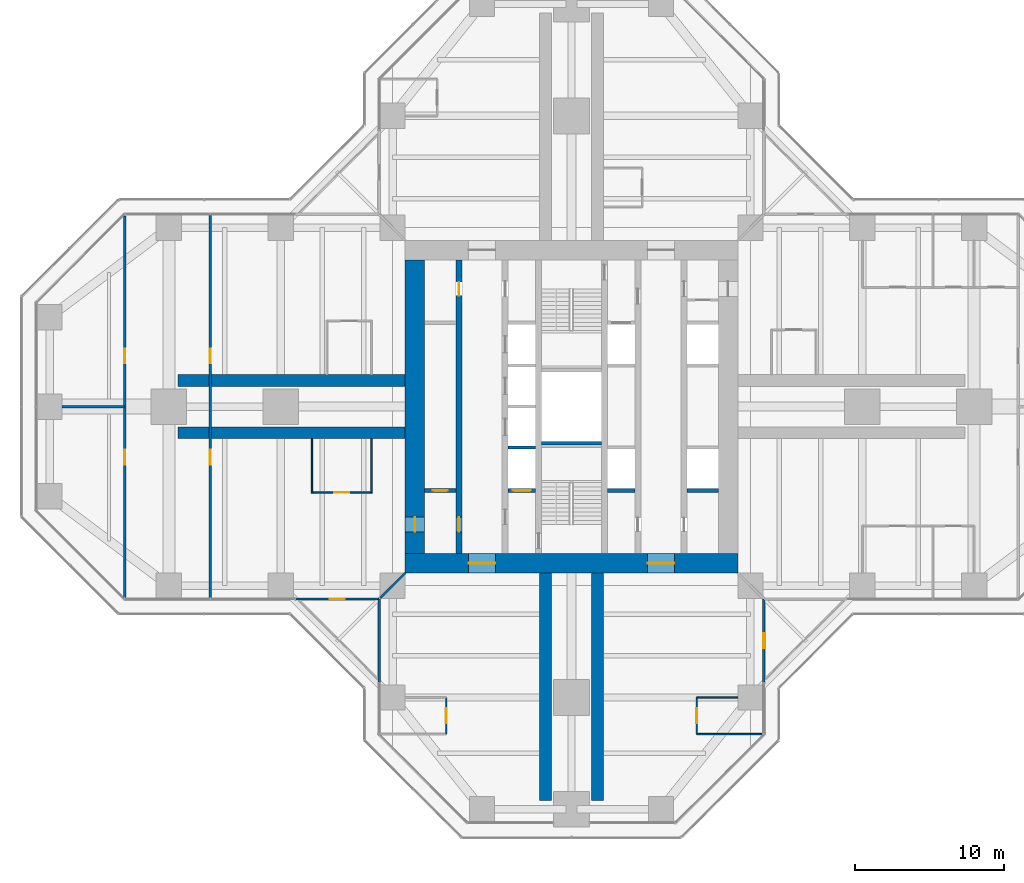
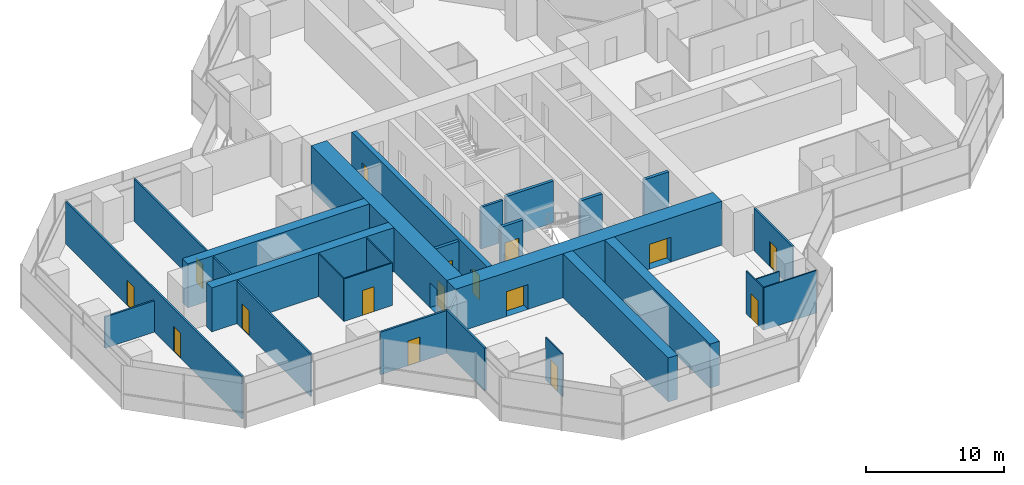
# One storey, part 15 of 20: 27 walls, 16 doors, 16 openings.
"""IFC4 building model written with IfcOpenShell, lengths in metres."""

from ifc_helpers import new_model, si_unit, direction, frame, frame_2d, origin, place, context, subcontext, project, spatial, rectangle, extrude, material, layer, layer_set, type_object, element, fill, save


model = new_model("IFC4")

# Units and contexts
model_context = context("Model", 3, precision=1e-05, world=origin(), true_north=direction((0.0, 1.0)))
body_context = subcontext(model_context, "Body", "Model", "MODEL_VIEW")
ifc_project = project(units=[si_unit("LENGTHUNIT", "METRE"), si_unit("AREAUNIT", "SQUARE_METRE"), si_unit("VOLUMEUNIT", "CUBIC_METRE"), si_unit("PLANEANGLEUNIT", "RADIAN"), si_unit("MASSUNIT", "GRAM", prefix="KILO")], contexts=[model_context])

# Site, building, storey
site_placement = place(None, origin())
site = spatial("IfcSite", under=ifc_project, at=site_placement, CompositionType="ELEMENT")
building_placement = place(site_placement, origin())
building = spatial("IfcBuilding", under=site, at=building_placement, Name="Mizan Broadcast Tower", CompositionType="ELEMENT")
storey_placement = place(building_placement, frame((0.0, 0.0, 151.5)))
storey = spatial("IfcBuildingStorey", under=building, at=storey_placement, Name="L34", CompositionType="ELEMENT", Elevation=151.5)

# Wall, openings, doors
ifc_material_1 = material(Name="Concrete C70/85", Category="concrete")
ifc_layer_1 = layer(ifc_material_1, 0.39990234375)
ifc_layer_set_1 = layer_set([ifc_layer_1], Name="Concrete C70/85")
wall_type_1 = type_object("IfcWallType", Name="CORE INTERNAL WALL 400", PredefinedType="SHEAR", material=ifc_layer_set_1)
wall_1_placement = place(storey_placement, frame((-7.550048828125, -9.85009765625, 0.0), z_axis=(0.0, 0.0, 1.0), x_axis=(0.0, 1.0, 0.0)))
wall_1 = element("IfcWall", 1, at=wall_1_placement, inside=storey, type_object=wall_type_1, Name="Core wall CORE/XW1", PredefinedType="SHEAR", context=body_context, shape_type="SweptSolid", body=[
    extrude(rectangle(XDim=19.7001953125, YDim=0.39990234375, at=frame_2d((9.85009765625, 0.0))), origin(), (0.0, 0.0, 1.0), 3.89990234375),
])
opening_1_placement = place(wall_1_placement, frame((1.449951171875, 0.0, 0.0)))
opening_1 = element("IfcOpeningElement", 2, at=opening_1_placement, cuts=wall_1, Name="Opening D10F", PredefinedType="OPENING", context=body_context, shape_type="SweptSolid", body=[
    extrude(rectangle(XDim=1.0, YDim=2.199951171875, at=frame_2d((0.5, 1.10009765625))), frame((0.0, 0.2099609375, 0.0), z_axis=(0.0, -1.0, 0.0), x_axis=(1.0, 0.0, 0.0)), (0.0, 0.0, 1.0), 0.419921875),
])
opening_2_placement = place(wall_1_placement, frame((17.300048828125, 0.0, 0.0)))
opening_2 = element("IfcOpeningElement", 3, at=opening_2_placement, cuts=wall_1, Name="Opening D09", PredefinedType="OPENING", context=body_context, shape_type="SweptSolid", body=[
    extrude(rectangle(XDim=0.89990234375, YDim=2.10009765625, at=frame_2d((0.449951171875, 1.050048828125))), frame((0.0, 0.2099609375, 0.0), z_axis=(0.0, -1.0, 0.0), x_axis=(1.0, 0.0, 0.0)), (0.0, 0.0, 1.0), 0.419921875),
])
ifc_material_2 = material(Name="Steel door leaf in steel frame", Category="steel")
door_type_1 = type_object("IfcDoorType", Name="FIRE DOOR 1000 FD90", OperationType="SINGLE_SWING_LEFT", PredefinedType="DOOR", material=ifc_material_2)
door_1_placement = place(opening_1_placement, origin())
door_1 = element("IfcDoor", 4, at=door_1_placement, inside=storey, type_object=door_type_1, Name="West core passage door", OperationType="SINGLE_SWING_LEFT", OverallHeight=2.199951171875, OverallWidth=1.0, PredefinedType="DOOR", context=body_context, shape_type="SweptSolid", body=[
    extrude(rectangle(XDim=1.0, YDim=2.199951171875, at=frame_2d((0.5, 1.10009765625))), frame((0.0, 0.02490234375, 0.0), z_axis=(0.0, -1.0, 0.0), x_axis=(1.0, 0.0, 0.0)), (0.0, 0.0, 1.0), 0.050048828125),
])
fill(opening_1, door_1)
ifc_material_3 = material(Name="Timber door leaf in aluminium frame", Category="wood")
door_type_2 = type_object("IfcDoorType", Name="TOILET DOOR 900", OperationType="SINGLE_SWING_LEFT", PredefinedType="DOOR", material=ifc_material_3)
door_2_placement = place(opening_2_placement, origin())
door_2 = element("IfcDoor", 5, at=door_2_placement, inside=storey, type_object=door_type_2, Name="Male WC door", OperationType="SINGLE_SWING_RIGHT", OverallHeight=2.10009765625, OverallWidth=0.89990234375, PredefinedType="DOOR", context=body_context, shape_type="SweptSolid", body=[
    extrude(rectangle(XDim=0.89990234375, YDim=2.10009765625, at=frame_2d((0.449951171875, 1.050048828125))), frame((0.0, 0.02490234375, 0.0), z_axis=(0.0, -1.0, 0.0), x_axis=(1.0, 0.0, 0.0)), (0.0, 0.0, 1.0), 0.050048828125),
])
fill(opening_2, door_2)

ifc_material_4 = material(Name="Concrete C70/85", Category="concrete")
ifc_layer_2 = layer(ifc_material_4, 1.300048828125)
ifc_layer_set_2 = layer_set([ifc_layer_2], Name="Concrete C70/85")
wall_type_2 = type_object("IfcWallType", Name="CORE WALL 1300", PredefinedType="SHEAR", material=ifc_layer_set_2)
wall_2_placement = place(storey_placement, frame((11.14990234375, -10.5, 0.0), z_axis=(0.0, 0.0, 1.0), x_axis=(-1.0, 0.0, 0.0)))
wall_2 = element("IfcWall", 6, at=wall_2_placement, inside=storey, type_object=wall_type_2, Name="Core wall S L34", PredefinedType="SHEAR", context=body_context, shape_type="SweptSolid", body=[
    extrude(rectangle(XDim=22.2998046875, YDim=1.300048828125, at=frame_2d((11.14990234375, 0.0))), origin(), (0.0, 0.0, 1.0), 3.89990234375),
])
opening_3_placement = place(wall_2_placement, frame((16.25, 0.0, 0.0)))
opening_3 = element("IfcOpeningElement", 7, at=opening_3_placement, cuts=wall_2, Name="Opening D18F", PredefinedType="OPENING", context=body_context, shape_type="SweptSolid", body=[
    extrude(rectangle(XDim=1.800048828125, YDim=2.199951171875, at=frame_2d((0.89990234375, 1.10009765625))), frame((0.0, 0.659912109375, 0.0), z_axis=(0.0, -1.0, 0.0), x_axis=(1.0, 0.0, 0.0)), (0.0, 0.0, 1.0), 1.320068359375),
])
opening_4_placement = place(wall_2_placement, frame((4.25, 0.0, 0.0)))
opening_4 = element("IfcOpeningElement", 8, at=opening_4_placement, cuts=wall_2, Name="Opening D18F", PredefinedType="OPENING", context=body_context, shape_type="SweptSolid", body=[
    extrude(rectangle(XDim=1.800048828125, YDim=2.199951171875, at=frame_2d((0.89990234375, 1.10009765625))), frame((0.0, 0.659912109375, 0.0), z_axis=(0.0, -1.0, 0.0), x_axis=(1.0, 0.0, 0.0)), (0.0, 0.0, 1.0), 1.320068359375),
])
ifc_material_5 = material(Name="Steel door leaf in steel frame", Category="steel")
door_type_3 = type_object("IfcDoorType", Name="LOBBY DOUBLE DOOR 1800 FD90", OperationType="DOUBLE_DOOR_DOUBLE_SWING", PredefinedType="DOOR", material=ifc_material_5)
door_3_placement = place(opening_3_placement, origin())
door_3 = element("IfcDoor", 9, at=door_3_placement, inside=storey, type_object=door_type_3, Name="West lift lobby south door", OperationType="DOUBLE_DOOR_DOUBLE_SWING", OverallHeight=2.199951171875, OverallWidth=1.800048828125, PredefinedType="DOOR", context=body_context, shape_type="SweptSolid", body=[
    extrude(rectangle(XDim=1.800048828125, YDim=2.199951171875, at=frame_2d((0.89990234375, 1.10009765625))), frame((0.0, 0.02490234375, 0.0), z_axis=(0.0, -1.0, 0.0), x_axis=(1.0, 0.0, 0.0)), (0.0, 0.0, 1.0), 0.050048828125),
])
fill(opening_3, door_3)
door_4_placement = place(opening_4_placement, origin())
door_4 = element("IfcDoor", 10, at=door_4_placement, inside=storey, type_object=door_type_3, Name="East lift lobby south door", OperationType="DOUBLE_DOOR_DOUBLE_SWING", OverallHeight=2.199951171875, OverallWidth=1.800048828125, PredefinedType="DOOR", context=body_context, shape_type="SweptSolid", body=[
    extrude(rectangle(XDim=1.800048828125, YDim=2.199951171875, at=frame_2d((0.89990234375, 1.10009765625))), frame((0.0, 0.02490234375, 0.0), z_axis=(0.0, -1.0, 0.0), x_axis=(1.0, 0.0, 0.0)), (0.0, 0.0, 1.0), 0.050048828125),
])
fill(opening_4, door_4)

# Wall, opening, door
wall_3_placement = place(storey_placement, frame((-10.5, 9.85009765625, 0.0), z_axis=(0.0, 0.0, 1.0), x_axis=(0.0, -1.0, 0.0)))
wall_3 = element("IfcWall", 11, at=wall_3_placement, inside=storey, type_object=wall_type_2, Name="Core wall W L34", PredefinedType="SHEAR", context=body_context, shape_type="SweptSolid", body=[
    extrude(rectangle(XDim=19.7001953125, YDim=1.300048828125, at=frame_2d((9.85009765625, 0.0))), origin(), (0.0, 0.0, 1.0), 3.89990234375),
])
opening_5_placement = place(wall_3_placement, frame((17.25, 0.0, 0.0)))
opening_5 = element("IfcOpeningElement", 12, at=opening_5_placement, cuts=wall_3, Name="Opening D10F", PredefinedType="OPENING", context=body_context, shape_type="SweptSolid", body=[
    extrude(rectangle(XDim=1.0, YDim=2.199951171875, at=frame_2d((0.5, 1.10009765625))), frame((0.0, 0.659912109375, 0.0), z_axis=(0.0, -1.0, 0.0), x_axis=(1.0, 0.0, 0.0)), (0.0, 0.0, 1.0), 1.320068359375),
])
door_5_placement = place(opening_5_placement, origin())
door_5 = element("IfcDoor", 13, at=door_5_placement, inside=storey, type_object=door_type_1, Name="West core passage arm door", OperationType="SINGLE_SWING_RIGHT", OverallHeight=2.199951171875, OverallWidth=1.0, PredefinedType="DOOR", context=body_context, shape_type="SweptSolid", body=[
    extrude(rectangle(XDim=1.0, YDim=2.199951171875, at=frame_2d((0.5, 1.10009765625))), frame((0.0, 0.02490234375, 0.0), z_axis=(0.0, -1.0, 0.0), x_axis=(1.0, 0.0, 0.0)), (0.0, 0.0, 1.0), 0.050048828125),
])
fill(opening_5, door_5)

ifc_material_6 = material(Name="Aluminium framed glazed screen", Category="aluminium")
ifc_layer_3 = layer(ifc_material_6, 0.159912109375)
ifc_layer_set_3 = layer_set([ifc_layer_3], Name="Aluminium framed glazed screen")
wall_type_3 = type_object("IfcWallType", Name="GLAZED SCREEN WALL 160", PredefinedType="SOLIDWALL", material=ifc_layer_set_3)
wall_4_placement = place(storey_placement, frame((-18.5, -12.89990234375, 0.0), z_axis=(0.0, 0.0, 1.0), x_axis=(1.0, 0.0, 0.0)))
wall_4 = element("IfcWall", 14, at=wall_4_placement, inside=storey, type_object=wall_type_3, Name="Winter garden screen L34 W", PredefinedType="SOLIDWALL", context=body_context, shape_type="SweptSolid", body=[
    extrude(rectangle(XDim=5.60009765625, YDim=0.159912109375, at=frame_2d((2.800048828125, 0.0))), origin(), (0.0, 0.0, 1.0), 3.77001953125),
])
opening_6_placement = place(wall_4_placement, frame((2.300048828125, 0.0, 0.0)))
opening_6 = element("IfcOpeningElement", 15, at=opening_6_placement, cuts=wall_4, Name="Opening WGD", PredefinedType="OPENING", context=body_context, shape_type="SweptSolid", body=[
    extrude(rectangle(XDim=1.0, YDim=2.199951171875, at=frame_2d((0.5, 1.10009765625))), frame((0.0, 0.08984375, 0.0), z_axis=(0.0, -1.0, 0.0), x_axis=(1.0, 0.0, 0.0)), (0.0, 0.0, 1.0), 0.179931640625),
])
ifc_material_7 = material(Name="Aluminium framed glazed door", Category="aluminium")
door_type_4 = type_object("IfcDoorType", Name="WINTER GARDEN DOOR 1000 GLAZED", OperationType="SINGLE_SWING_LEFT", PredefinedType="DOOR", material=ifc_material_7)
door_6_placement = place(opening_6_placement, origin())
door_6 = element("IfcDoor", 16, at=door_6_placement, inside=storey, type_object=door_type_4, Name="Winter garden door L34 W", OperationType="SINGLE_SWING_RIGHT", OverallHeight=2.199951171875, OverallWidth=1.0, PredefinedType="DOOR", context=body_context, shape_type="SweptSolid", body=[
    extrude(rectangle(XDim=1.0, YDim=2.199951171875, at=frame_2d((0.5, 1.10009765625))), frame((0.0, 0.02490234375, 0.0), z_axis=(0.0, -1.0, 0.0), x_axis=(1.0, 0.0, 0.0)), (0.0, 0.0, 1.0), 0.050048828125),
])
fill(opening_6, door_6)

# Wall
wall_5_placement = place(storey_placement, frame((-12.89990234375, -12.89990234375, 0.0), z_axis=(0.0, 0.0, 1.0), x_axis=(0.0, -1.0, 0.0)))
element("IfcWall", 17, at=wall_5_placement, inside=storey, type_object=wall_type_3, Name="Winter garden screen L34 S", PredefinedType="SOLIDWALL", context=body_context, shape_type="SweptSolid", body=[
    extrude(rectangle(XDim=5.60009765625, YDim=0.159912109375, at=frame_2d((2.800048828125, 0.0))), origin(), (0.0, 0.0, 1.0), 3.77001953125),
])

# Wall, opening, door
wall_6_placement = place(storey_placement, frame((12.89990234375, -18.5, 0.0), z_axis=(0.0, 0.0, 1.0), x_axis=(0.0, 1.0, 0.0)))
wall_6 = element("IfcWall", 18, at=wall_6_placement, inside=storey, type_object=wall_type_3, Name="Winter garden screen L34 S", PredefinedType="SOLIDWALL", context=body_context, shape_type="SweptSolid", body=[
    extrude(rectangle(XDim=5.60009765625, YDim=0.159912109375, at=frame_2d((2.800048828125, 0.0))), origin(), (0.0, 0.0, 1.0), 3.77001953125),
])
opening_7_placement = place(wall_6_placement, frame((2.300048828125, 0.0, 0.0)))
opening_7 = element("IfcOpeningElement", 19, at=opening_7_placement, cuts=wall_6, Name="Opening WGD", PredefinedType="OPENING", context=body_context, shape_type="SweptSolid", body=[
    extrude(rectangle(XDim=1.0, YDim=2.199951171875, at=frame_2d((0.5, 1.10009765625))), frame((0.0, 0.08984375, 0.0), z_axis=(0.0, -1.0, 0.0), x_axis=(1.0, 0.0, 0.0)), (0.0, 0.0, 1.0), 0.179931640625),
])
door_7_placement = place(opening_7_placement, origin())
door_7 = element("IfcDoor", 20, at=door_7_placement, inside=storey, type_object=door_type_4, Name="Winter garden door L34 S", OperationType="SINGLE_SWING_RIGHT", OverallHeight=2.199951171875, OverallWidth=1.0, PredefinedType="DOOR", context=body_context, shape_type="SweptSolid", body=[
    extrude(rectangle(XDim=1.0, YDim=2.199951171875, at=frame_2d((0.5, 1.10009765625))), frame((0.0, 0.02490234375, 0.0), z_axis=(0.0, -1.0, 0.0), x_axis=(1.0, 0.0, 0.0)), (0.0, 0.0, 1.0), 0.050048828125),
])
fill(opening_7, door_7)

# Wall
ifc_material_8 = material(Name="Concrete blockwork", Category="masonry")
ifc_layer_4 = layer(ifc_material_8, 0.199951171875)
ifc_layer_set_4 = layer_set([ifc_layer_4], Name="Concrete blockwork")
wall_type_4 = type_object("IfcWallType", Name="LIFT SHAFT WALL 200", PredefinedType="SOLIDWALL", material=ifc_layer_set_4)
wall_7_placement = place(storey_placement, frame((-4.25, -2.75, 0.0), z_axis=(0.0, 0.0, 1.0), x_axis=(1.0, 0.0, 0.0)))
element("IfcWall", 21, at=wall_7_placement, inside=storey, type_object=wall_type_4, Name="Lift shaft wall CORE/SW2-1", PredefinedType="SOLIDWALL", context=body_context, shape_type="SweptSolid", body=[
    extrude(rectangle(XDim=1.85009765625, YDim=0.199951171875, at=frame_2d((0.925048828125, 0.0))), origin(), (0.0, 0.0, 1.0), 3.699951171875),
])

# Wall, opening, door
ifc_material_9 = material(Name="Concrete blockwork", Category="masonry")
ifc_layer_5 = layer(ifc_material_9, 0.25)
ifc_layer_set_5 = layer_set([ifc_layer_5], Name="Concrete blockwork")
wall_type_5 = type_object("IfcWallType", Name="LOBBY ENCLOSURE WALL 250", PredefinedType="SOLIDWALL", material=ifc_layer_set_5)
wall_8_placement = place(storey_placement, frame((-9.85009765625, -5.625, 0.0), z_axis=(0.0, 0.0, 1.0), x_axis=(1.0, 0.0, 0.0)))
wall_8 = element("IfcWall", 22, at=wall_8_placement, inside=storey, type_object=wall_type_5, Name="Lobby enclosure wall CORE/BW1S", PredefinedType="SOLIDWALL", context=body_context, shape_type="SweptSolid", body=[
    extrude(rectangle(XDim=2.10009765625, YDim=0.25, at=frame_2d((1.050048828125, 0.0))), origin(), (0.0, 0.0, 1.0), 3.699951171875),
])
opening_8_placement = place(wall_8_placement, frame((0.550048828125, 0.0, 0.0)))
opening_8 = element("IfcOpeningElement", 23, at=opening_8_placement, cuts=wall_8, Name="Opening D10F", PredefinedType="OPENING", context=body_context, shape_type="SweptSolid", body=[
    extrude(rectangle(XDim=1.0, YDim=2.199951171875, at=frame_2d((0.5, 1.10009765625))), frame((0.0, 0.135009765625, 0.0), z_axis=(0.0, -1.0, 0.0), x_axis=(1.0, 0.0, 0.0)), (0.0, 0.0, 1.0), 0.27001953125),
])
door_8_placement = place(opening_8_placement, origin())
door_8 = element("IfcDoor", 24, at=door_8_placement, inside=storey, type_object=door_type_1, Name="Staff locker room door", OperationType="SINGLE_SWING_RIGHT", OverallHeight=2.199951171875, OverallWidth=1.0, PredefinedType="DOOR", context=body_context, shape_type="SweptSolid", body=[
    extrude(rectangle(XDim=1.0, YDim=2.199951171875, at=frame_2d((0.5, 1.10009765625))), frame((0.0, 0.02490234375, 0.0), z_axis=(0.0, -1.0, 0.0), x_axis=(1.0, 0.0, 0.0)), (0.0, 0.0, 1.0), 0.050048828125),
])
fill(opening_8, door_8)

wall_9_placement = place(storey_placement, frame((-4.25, -5.625, 0.0), z_axis=(0.0, 0.0, 1.0), x_axis=(1.0, 0.0, 0.0)))
wall_9 = element("IfcWall", 25, at=wall_9_placement, inside=storey, type_object=wall_type_5, Name="Lobby enclosure wall CORE/BW2S", PredefinedType="SOLIDWALL", context=body_context, shape_type="SweptSolid", body=[
    extrude(rectangle(XDim=1.85009765625, YDim=0.25, at=frame_2d((0.925048828125, 0.0))), origin(), (0.0, 0.0, 1.0), 3.699951171875),
])
opening_9_placement = place(wall_9_placement, frame((0.324951171875, 0.0, 0.0)))
opening_9 = element("IfcOpeningElement", 26, at=opening_9_placement, cuts=wall_9, Name="Opening LDF", PredefinedType="OPENING", context=body_context, shape_type="SweptSolid", body=[
    extrude(rectangle(XDim=1.199951171875, YDim=2.199951171875, at=frame_2d((0.60009765625, 1.10009765625))), frame((0.0, 0.135009765625, 0.0), z_axis=(0.0, -1.0, 0.0), x_axis=(1.0, 0.0, 0.0)), (0.0, 0.0, 1.0), 0.27001953125),
])
ifc_material_10 = material(Name="Steel door leaf in steel frame", Category="steel")
door_type_5 = type_object("IfcDoorType", Name="FIREFIGHTING LIFT LANDING DOOR 1200", OperationType="SLIDING_TO_LEFT", PredefinedType="DOOR", material=ifc_material_10)
door_9_placement = place(opening_9_placement, origin())
door_9 = element("IfcDoor", 27, at=door_9_placement, inside=storey, type_object=door_type_5, Name="Landing door FF1", OperationType="SLIDING_TO_LEFT", OverallHeight=2.199951171875, OverallWidth=1.199951171875, PredefinedType="DOOR", context=body_context, shape_type="SweptSolid", body=[
    extrude(rectangle(XDim=1.199951171875, YDim=2.199951171875, at=frame_2d((0.60009765625, 1.10009765625))), frame((0.0, 0.02490234375, 0.0), z_axis=(0.0, -1.0, 0.0), x_axis=(1.0, 0.0, 0.0)), (0.0, 0.0, 1.0), 0.050048828125),
])
fill(opening_9, door_9)

# Walls
wall_10_placement = place(storey_placement, frame((2.39990234375, -5.625, 0.0), z_axis=(0.0, 0.0, 1.0), x_axis=(1.0, 0.0, 0.0)))
element("IfcWall", 28, at=wall_10_placement, inside=storey, type_object=wall_type_5, Name="Lobby enclosure wall CORE/BE2S", PredefinedType="SOLIDWALL", context=body_context, shape_type="SweptSolid", body=[
    extrude(rectangle(XDim=1.85009765625, YDim=0.25, at=frame_2d((0.925048828125, 0.0))), origin(), (0.0, 0.0, 1.0), 3.699951171875),
])
wall_11_placement = place(storey_placement, frame((7.75, -5.625, 0.0), z_axis=(0.0, 0.0, 1.0), x_axis=(1.0, 0.0, 0.0)))
element("IfcWall", 29, at=wall_11_placement, inside=storey, type_object=wall_type_5, Name="Lobby enclosure wall CORE/BE1S", PredefinedType="SOLIDWALL", context=body_context, shape_type="SweptSolid", body=[
    extrude(rectangle(XDim=2.10009765625, YDim=0.25, at=frame_2d((1.050048828125, 0.0))), origin(), (0.0, 0.0, 1.0), 3.699951171875),
])
wall_12_placement = place(storey_placement, frame((-2.0, -2.449951171875, 0.0), z_axis=(0.0, 0.0, 1.0), x_axis=(1.0, 0.0, 0.0)))
element("IfcWall", 30, at=wall_12_placement, inside=storey, type_object=wall_type_5, Name="Lobby enclosure wall CORE/STA", PredefinedType="SOLIDWALL", context=body_context, shape_type="SweptSolid", body=[
    extrude(rectangle(XDim=4.0, YDim=0.25, at=frame_2d((2.0, 0.0))), origin(), (0.0, 0.0, 1.0), 3.699951171875),
])

# Wall, openings, doors
ifc_material_11 = material(Name="Gypsum board on steel studs", Category="steel")
ifc_layer_6 = layer(ifc_material_11, 0.14990234375)
ifc_layer_set_6 = layer_set([ifc_layer_6], Name="Gypsum board on steel studs")
wall_type_6 = type_object("IfcWallType", Name="PARTITION 150", PredefinedType="PARTITIONING", material=ifc_layer_set_6)
wall_13_placement = place(storey_placement, frame((-24.22900390625, 12.820068359375, 0.0), z_axis=(0.0, 0.0, 1.0), x_axis=(0.0, -1.0, 0.0)))
wall_13 = element("IfcWall", 31, at=wall_13_placement, inside=storey, type_object=wall_type_6, Name="Partition PT/WX1", PredefinedType="PARTITIONING", context=body_context, shape_type="SweptSolid", body=[
    extrude(rectangle(XDim=25.64013671875, YDim=0.14990234375, at=frame_2d((12.820068359375, 0.0))), origin(), (0.0, 0.0, 1.0), 3.77001953125),
])
opening_10_placement = place(wall_13_placement, frame((15.719970703125, 0.0, 0.0)))
opening_10 = element("IfcOpeningElement", 32, at=opening_10_placement, cuts=wall_13, Name="Opening D10", PredefinedType="OPENING", context=body_context, shape_type="SweptSolid", body=[
    extrude(rectangle(XDim=1.0, YDim=2.199951171875, at=frame_2d((0.5, 1.10009765625))), frame((0.0, 0.0849609375, 0.0), z_axis=(0.0, -1.0, 0.0), x_axis=(1.0, 0.0, 0.0)), (0.0, 0.0, 1.0), 0.169921875),
])
opening_11_placement = place(wall_13_placement, frame((8.919921875, 0.0, 0.0)))
opening_11 = element("IfcOpeningElement", 33, at=opening_11_placement, cuts=wall_13, Name="Opening D10", PredefinedType="OPENING", context=body_context, shape_type="SweptSolid", body=[
    extrude(rectangle(XDim=1.0, YDim=2.199951171875, at=frame_2d((0.5, 1.10009765625))), frame((0.0, 0.0849609375, 0.0), z_axis=(0.0, -1.0, 0.0), x_axis=(1.0, 0.0, 0.0)), (0.0, 0.0, 1.0), 0.169921875),
])
ifc_material_12 = material(Name="Timber door leaf in aluminium frame", Category="wood")
door_type_6 = type_object("IfcDoorType", Name="ROOM DOOR 1000", OperationType="SINGLE_SWING_LEFT", PredefinedType="DOOR", material=ifc_material_12)
door_10_placement = place(opening_10_placement, origin())
door_10 = element("IfcDoor", 34, at=door_10_placement, inside=storey, type_object=door_type_6, Name="Open office door", OperationType="SINGLE_SWING_RIGHT", OverallHeight=2.199951171875, OverallWidth=1.0, PredefinedType="DOOR", context=body_context, shape_type="SweptSolid", body=[
    extrude(rectangle(XDim=1.0, YDim=2.199951171875, at=frame_2d((0.5, 1.10009765625))), frame((0.0, 0.02490234375, 0.0), z_axis=(0.0, -1.0, 0.0), x_axis=(1.0, 0.0, 0.0)), (0.0, 0.0, 1.0), 0.050048828125),
])
fill(opening_10, door_10)
door_11_placement = place(opening_11_placement, origin())
door_11 = element("IfcDoor", 35, at=door_11_placement, inside=storey, type_object=door_type_6, Name="Open office door", OperationType="SINGLE_SWING_LEFT", OverallHeight=2.199951171875, OverallWidth=1.0, PredefinedType="DOOR", context=body_context, shape_type="SweptSolid", body=[
    extrude(rectangle(XDim=1.0, YDim=2.199951171875, at=frame_2d((0.5, 1.10009765625))), frame((0.0, 0.02490234375, 0.0), z_axis=(0.0, -1.0, 0.0), x_axis=(1.0, 0.0, 0.0)), (0.0, 0.0, 1.0), 0.050048828125),
])
fill(opening_11, door_11)

wall_14_placement = place(storey_placement, frame((-29.958984375, 12.786376953125, 0.0), z_axis=(0.0, 0.0, 1.0), x_axis=(0.0, -1.0, 0.0)))
wall_14 = element("IfcWall", 36, at=wall_14_placement, inside=storey, type_object=wall_type_6, Name="Partition PT/WX2", PredefinedType="PARTITIONING", context=body_context, shape_type="SweptSolid", body=[
    extrude(rectangle(XDim=25.57275390625, YDim=0.14990234375, at=frame_2d((12.786376953125, 0.0))), origin(), (0.0, 0.0, 1.0), 3.77001953125),
])
opening_12_placement = place(wall_14_placement, frame((15.6865234375, 0.0, 0.0)))
opening_12 = element("IfcOpeningElement", 37, at=opening_12_placement, cuts=wall_14, Name="Opening D10", PredefinedType="OPENING", context=body_context, shape_type="SweptSolid", body=[
    extrude(rectangle(XDim=1.0, YDim=2.199951171875, at=frame_2d((0.5, 1.10009765625))), frame((0.0, 0.0849609375, 0.0), z_axis=(0.0, -1.0, 0.0), x_axis=(1.0, 0.0, 0.0)), (0.0, 0.0, 1.0), 0.169921875),
])
opening_13_placement = place(wall_14_placement, frame((8.886474609375, 0.0, 0.0)))
opening_13 = element("IfcOpeningElement", 38, at=opening_13_placement, cuts=wall_14, Name="Opening D10", PredefinedType="OPENING", context=body_context, shape_type="SweptSolid", body=[
    extrude(rectangle(XDim=1.0, YDim=2.199951171875, at=frame_2d((0.5, 1.10009765625))), frame((0.0, 0.0849609375, 0.0), z_axis=(0.0, -1.0, 0.0), x_axis=(1.0, 0.0, 0.0)), (0.0, 0.0, 1.0), 0.169921875),
])
door_12_placement = place(opening_12_placement, origin())
door_12 = element("IfcDoor", 39, at=door_12_placement, inside=storey, type_object=door_type_6, Name="Open office door", OperationType="SINGLE_SWING_RIGHT", OverallHeight=2.199951171875, OverallWidth=1.0, PredefinedType="DOOR", context=body_context, shape_type="SweptSolid", body=[
    extrude(rectangle(XDim=1.0, YDim=2.199951171875, at=frame_2d((0.5, 1.10009765625))), frame((0.0, 0.02490234375, 0.0), z_axis=(0.0, -1.0, 0.0), x_axis=(1.0, 0.0, 0.0)), (0.0, 0.0, 1.0), 0.050048828125),
])
fill(opening_12, door_12)
door_13_placement = place(opening_13_placement, origin())
door_13 = element("IfcDoor", 40, at=door_13_placement, inside=storey, type_object=door_type_6, Name="Open office door", OperationType="SINGLE_SWING_LEFT", OverallHeight=2.199951171875, OverallWidth=1.0, PredefinedType="DOOR", context=body_context, shape_type="SweptSolid", body=[
    extrude(rectangle(XDim=1.0, YDim=2.199951171875, at=frame_2d((0.5, 1.10009765625))), frame((0.0, 0.02490234375, 0.0), z_axis=(0.0, -1.0, 0.0), x_axis=(1.0, 0.0, 0.0)), (0.0, 0.0, 1.0), 0.050048828125),
])
fill(opening_13, door_13)

# Walls
wall_15_placement = place(storey_placement, frame((-29.958984375, 0.0, 0.0), z_axis=(0.0, 0.0, 1.0), x_axis=(-1.0, 0.0, 0.0)))
element("IfcWall", 41, at=wall_15_placement, inside=storey, type_object=wall_type_6, Name="Partition PT/WES", PredefinedType="PARTITIONING", context=body_context, shape_type="SweptSolid", body=[
    extrude(rectangle(XDim=4.19091796875, YDim=0.14990234375, at=frame_2d((2.095458984375, 0.0))), origin(), (0.0, 0.0, 1.0), 2.77001953125),
])
wall_16_placement = place(storey_placement, frame((-11.14990234375, -11.14990234375, 0.0), z_axis=(0.0, 0.0, 1.0), x_axis=(-0.707106781187, -0.707106781187, 0.0)))
element("IfcWall", 42, at=wall_16_placement, inside=storey, type_object=wall_type_6, Name="Partition PT/DGWS", PredefinedType="PARTITIONING", context=body_context, shape_type="SweptSolid", body=[
    extrude(rectangle(XDim=2.362060546875, YDim=0.14990234375, at=frame_2d((1.18115234375, 0.0))), origin(), (0.0, 0.0, 1.0), 3.219970703125),
])
ifc_material_13 = material(Name="Glazed aluminium partition on aluminium track", Category="aluminium")
ifc_layer_7 = layer(ifc_material_13, 0.10009765625)
ifc_layer_set_7 = layer_set([ifc_layer_7], Name="Glazed aluminium partition on aluminium track")
wall_type_7 = type_object("IfcWallType", Name="PARTITION GLAZED OFFICE FRONT 100", PredefinedType="PARTITIONING", material=ifc_layer_set_7)
for number, where, z_axis, x_axis, name in (
    (43, (-13.39990234375, -2.14990234375, 0.0), (0.0, 0.0, 1.0), (0.0, -1.0, 0.0), "Glazed office front PT/WKP0a"),
    (44, (-17.39990234375, -2.14990234375, 0.0), (0.0, 0.0, 1.0), (0.0, -1.0, 0.0), "Glazed office front PT/WKP0b"),
):
    element("IfcWall", number, at=place(storey_placement, frame(where, z_axis=z_axis, x_axis=x_axis)), inside=storey, type_object=wall_type_7, Name=name, PredefinedType="PARTITIONING", context=body_context, shape_type="SweptSolid", body=[
        extrude(rectangle(XDim=3.60009765625, YDim=0.10009765625, at=frame_2d((1.800048828125, 0.0))), origin(), (0.0, 0.0, 1.0), 3.77001953125),
    ])

# Wall, opening, door
wall_17_placement = place(storey_placement, frame((-13.35009765625, -5.75, 0.0), z_axis=(0.0, 0.0, 1.0), x_axis=(-1.0, 0.0, 0.0)))
wall_17 = element("IfcWall", 45, at=wall_17_placement, inside=storey, type_object=wall_type_7, Name="Glazed office front PT/WKP0f", PredefinedType="PARTITIONING", context=body_context, shape_type="SweptSolid", body=[
    extrude(rectangle(XDim=4.099853515625, YDim=0.10009765625, at=frame_2d((2.0498046875, 0.0))), origin(), (0.0, 0.0, 1.0), 3.77001953125),
])
opening_14_placement = place(wall_17_placement, frame((1.550048828125, 0.0, 0.0)))
opening_14 = element("IfcOpeningElement", 46, at=opening_14_placement, cuts=wall_17, Name="Opening D10O", PredefinedType="OPENING", context=body_context, shape_type="SweptSolid", body=[
    extrude(rectangle(XDim=1.0, YDim=2.199951171875, at=frame_2d((0.5, 1.10009765625))), frame((0.0, 0.06005859375, 0.0), z_axis=(0.0, -1.0, 0.0), x_axis=(1.0, 0.0, 0.0)), (0.0, 0.0, 1.0), 0.1201171875),
])
ifc_material_14 = material(Name="Timber door leaf in aluminium frame", Category="wood")
door_type_7 = type_object("IfcDoorType", Name="OFFICE DOOR 1000 GLAZED", OperationType="SINGLE_SWING_LEFT", PredefinedType="DOOR", material=ifc_material_14)
door_14_placement = place(opening_14_placement, origin())
door_14 = element("IfcDoor", 47, at=door_14_placement, inside=storey, type_object=door_type_7, Name="Comms room door", OperationType="SINGLE_SWING_LEFT", OverallHeight=2.199951171875, OverallWidth=1.0, PredefinedType="DOOR", context=body_context, shape_type="SweptSolid", body=[
    extrude(rectangle(XDim=1.0, YDim=2.199951171875, at=frame_2d((0.5, 1.10009765625))), frame((0.0, 0.02490234375, 0.0), z_axis=(0.0, -1.0, 0.0), x_axis=(1.0, 0.0, 0.0)), (0.0, 0.0, 1.0), 0.050048828125),
])
fill(opening_14, door_14)

wall_18_placement = place(storey_placement, frame((8.39990234375, -19.5, 0.0), z_axis=(0.0, 0.0, 1.0), x_axis=(0.0, -1.0, 0.0)))
wall_18 = element("IfcWall", 48, at=wall_18_placement, inside=storey, type_object=wall_type_7, Name="Glazed office front PT/SCP0", PredefinedType="PARTITIONING", context=body_context, shape_type="SweptSolid", body=[
    extrude(rectangle(XDim=2.458984375, YDim=0.10009765625, at=frame_2d((1.2294921875, 0.0))), origin(), (0.0, 0.0, 1.0), 3.77001953125),
])
opening_15_placement = place(wall_18_placement, frame((0.7294921875, 0.0, 0.0)))
opening_15 = element("IfcOpeningElement", 49, at=opening_15_placement, cuts=wall_18, Name="Opening D10O", PredefinedType="OPENING", context=body_context, shape_type="SweptSolid", body=[
    extrude(rectangle(XDim=1.0, YDim=2.199951171875, at=frame_2d((0.5, 1.10009765625))), frame((0.0, 0.06005859375, 0.0), z_axis=(0.0, -1.0, 0.0), x_axis=(1.0, 0.0, 0.0)), (0.0, 0.0, 1.0), 0.1201171875),
])
door_15_placement = place(opening_15_placement, origin())
door_15 = element("IfcDoor", 50, at=door_15_placement, inside=storey, type_object=door_type_7, Name="Office door", OperationType="SINGLE_SWING_LEFT", OverallHeight=2.199951171875, OverallWidth=1.0, PredefinedType="DOOR", context=body_context, shape_type="SweptSolid", body=[
    extrude(rectangle(XDim=1.0, YDim=2.199951171875, at=frame_2d((0.5, 1.10009765625))), frame((0.0, 0.02490234375, 0.0), z_axis=(0.0, -1.0, 0.0), x_axis=(1.0, 0.0, 0.0)), (0.0, 0.0, 1.0), 0.050048828125),
])
fill(opening_15, door_15)

# Walls
wall_19_placement = place(storey_placement, frame((8.39990234375, -19.5, 0.0), z_axis=(0.0, 0.0, 1.0), x_axis=(1.0, 0.0, 0.0)))
element("IfcWall", 51, at=wall_19_placement, inside=storey, type_object=wall_type_7, Name="Glazed office front PT/SQP1950", PredefinedType="PARTITIONING", context=body_context, shape_type="SweptSolid", body=[
    extrude(rectangle(XDim=2.75, YDim=0.10009765625, at=frame_2d((1.375, 0.0))), origin(), (0.0, 0.0, 1.0), 2.77001953125),
])
wall_20_placement = place(storey_placement, frame((8.39990234375, -21.958984375, 0.0), z_axis=(0.0, 0.0, 1.0), x_axis=(1.0, 0.0, 0.0)))
element("IfcWall", 52, at=wall_20_placement, inside=storey, type_object=wall_type_7, Name="Glazed office front PT/SQP2196", PredefinedType="PARTITIONING", context=body_context, shape_type="SweptSolid", body=[
    extrude(rectangle(XDim=4.420166015625, YDim=0.10009765625, at=frame_2d((2.2099609375, 0.0))), origin(), (0.0, 0.0, 1.0), 3.77001953125),
])

# Wall, opening, door
wall_21_placement = place(storey_placement, frame((-8.39990234375, -19.5, 0.0), z_axis=(0.0, 0.0, 1.0), x_axis=(0.0, -1.0, 0.0)))
wall_21 = element("IfcWall", 53, at=wall_21_placement, inside=storey, type_object=wall_type_7, Name="Glazed office front PT/SCN0", PredefinedType="PARTITIONING", context=body_context, shape_type="SweptSolid", body=[
    extrude(rectangle(XDim=2.458984375, YDim=0.10009765625, at=frame_2d((1.2294921875, 0.0))), origin(), (0.0, 0.0, 1.0), 3.77001953125),
])
opening_16_placement = place(wall_21_placement, frame((0.7294921875, 0.0, 0.0)))
opening_16 = element("IfcOpeningElement", 54, at=opening_16_placement, cuts=wall_21, Name="Opening D10O", PredefinedType="OPENING", context=body_context, shape_type="SweptSolid", body=[
    extrude(rectangle(XDim=1.0, YDim=2.199951171875, at=frame_2d((0.5, 1.10009765625))), frame((0.0, 0.06005859375, 0.0), z_axis=(0.0, -1.0, 0.0), x_axis=(1.0, 0.0, 0.0)), (0.0, 0.0, 1.0), 0.1201171875),
])
door_16_placement = place(opening_16_placement, origin())
door_16 = element("IfcDoor", 55, at=door_16_placement, inside=storey, type_object=door_type_7, Name="Test room door", OperationType="SINGLE_SWING_LEFT", OverallHeight=2.199951171875, OverallWidth=1.0, PredefinedType="DOOR", context=body_context, shape_type="SweptSolid", body=[
    extrude(rectangle(XDim=1.0, YDim=2.199951171875, at=frame_2d((0.5, 1.10009765625))), frame((0.0, 0.02490234375, 0.0), z_axis=(0.0, -1.0, 0.0), x_axis=(1.0, 0.0, 0.0)), (0.0, 0.0, 1.0), 0.050048828125),
])
fill(opening_16, door_16)

# Walls
ifc_material_15 = material(Name="Concrete C70/85", Category="concrete")
ifc_layer_8 = layer(ifc_material_15, 0.800048828125)
ifc_layer_set_8 = layer_set([ifc_layer_8], Name="Concrete C70/85")
wall_type_8 = type_object("IfcWallType", Name="SPINE WALL 800", PredefinedType="SHEAR", material=ifc_layer_set_8)
for number, where, z_axis, x_axis, name in (
    (56, (-11.14990234375, 1.75, 0.0), (0.0, 0.0, 1.0), (-1.0, 0.0, 0.0), "Spine wall WR L34"),
    (57, (-11.14990234375, -1.75, 0.0), (0.0, 0.0, 1.0), (-1.0, 0.0, 0.0), "Spine wall WL L34"),
    (58, (-1.75, -11.14990234375, 0.0), (0.0, 0.0, 1.0), (0.0, -1.0, 0.0), "Spine wall SR L34"),
    (59, (1.75, -11.14990234375, 0.0), (0.0, 0.0, 1.0), (0.0, -1.0, 0.0), "Spine wall SL L34"),
):
    element("IfcWall", number, at=place(storey_placement, frame(where, z_axis=z_axis, x_axis=x_axis)), inside=storey, type_object=wall_type_8, Name=name, PredefinedType="SHEAR", context=body_context, shape_type="SweptSolid", body=[
        extrude(rectangle(XDim=15.25, YDim=0.800048828125, at=frame_2d((7.625, 0.0))), origin(), (0.0, 0.0, 1.0), 3.89990234375),
    ])

save(model, "model.ifc")
